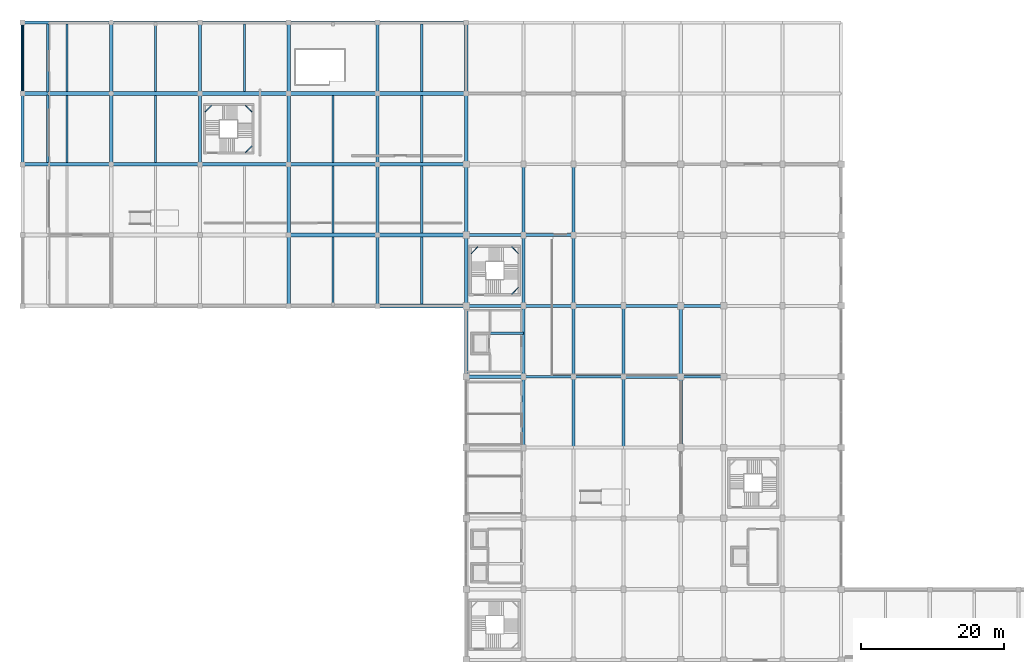
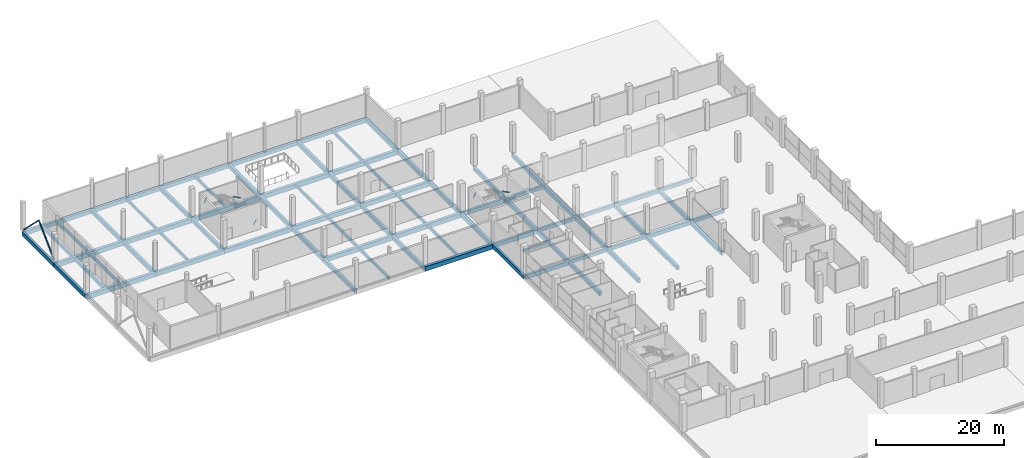
# One storey, part 13 of 50: 82 beams, 2 members.
"""IFC4 building model written with IfcOpenShell, lengths in metres."""

from ifc_helpers import new_model, si_unit, direction, frame, origin, origin_2d, place, context, subcontext, project, spatial, rectangle, hollow_rectangle, extrude, material, material_profile, profile_set, type_object, element, save


model = new_model("IFC4")

# Units and contexts
model_context = context("Model", 3, precision=1e-05, world=origin(), true_north=direction((0.0, 1.0)))
body_context = subcontext(model_context, "Body", "Model", "MODEL_VIEW")
ifc_project = project(units=[si_unit("LENGTHUNIT", "METRE"), si_unit("AREAUNIT", "SQUARE_METRE"), si_unit("VOLUMEUNIT", "CUBIC_METRE"), si_unit("PLANEANGLEUNIT", "RADIAN"), si_unit("MASSUNIT", "GRAM", prefix="KILO")], contexts=[model_context])

# Site, building, storey
site_placement = place(None, origin())
site = spatial("IfcSite", under=ifc_project, at=site_placement, CompositionType="ELEMENT")
building_placement = place(site_placement, origin())
building = spatial("IfcBuilding", under=site, at=building_placement, Name="Sillaruma Civic Art Gallery", CompositionType="ELEMENT")
storey_placement = place(building_placement, origin())
storey = spatial("IfcBuildingStorey", under=building, at=storey_placement, Name="L00", CompositionType="ELEMENT", Elevation=0.0)

# Beams
ifc_material_1 = material(Name="Concrete H35 (35 MPa)", Category="concrete")
ifc_material_profile_1 = material_profile(ifc_material_1, rectangle(XDim=0.35009765625, YDim=0.60009765625, at=origin_2d()), Name="RCB350x600")
ifc_profile_set_1 = profile_set([ifc_material_profile_1], Name="Concrete H35 (35 MPa)")
beam_type_1 = type_object("IfcBeamType", Name="BM-BEAM-RCB350x600", PredefinedType="BEAM", material=ifc_profile_set_1)
beam_1_placement = place(storey_placement, frame((3.5, 99.22509765625, -0.60009765625), z_axis=(0.0, 1.0, 0.0), x_axis=(-1.0, 0.0, 0.0)))
element("IfcBeam", 1, at=beam_1_placement, inside=storey, type_object=beam_type_1, Name="West Forecourt Edge Beam (3)", PredefinedType="BEAM", context=body_context, shape_type="SweptSolid", body=[
    extrude(rectangle(XDim=0.35009765625, YDim=0.60009765625, at=origin_2d()), origin(), (0.0, 0.0, 1.0), 9.449951171875),
])
beam_2_placement = place(storey_placement, frame((3.5, 109.125, -0.60009765625), z_axis=(0.0, 1.0, 0.0), x_axis=(-1.0, 0.0, 0.0)))
element("IfcBeam", 2, at=beam_2_placement, inside=storey, type_object=beam_type_1, Name="West Forecourt Edge Beam (4)", PredefinedType="BEAM", context=body_context, shape_type="SweptSolid", body=[
    extrude(rectangle(XDim=0.35009765625, YDim=0.60009765625, at=origin_2d()), origin(), (0.0, 0.0, 1.0), 9.47509765625),
])
ifc_material_profile_2 = material_profile(ifc_material_1, rectangle(XDim=0.39990234375, YDim=0.64990234375, at=origin_2d()), Name="RCB400x650")
ifc_profile_set_2 = profile_set([ifc_material_profile_2], Name="Concrete H35 (35 MPa)")
beam_type_2 = type_object("IfcBeamType", Name="BM-BEAM-RCB400x650", PredefinedType="BEAM", material=ifc_profile_set_2)
for number, where, z_axis, x_axis, name in (
    (3, (70.0, 69.300048828125, -0.625), (1.0, 0.0, 0.0), (0.0, 1.0, 0.0), "Beam BM-05 (B01:8:G-H)"),
    (4, (77.0, 69.300048828125, -0.625), (1.0, 0.0, 0.0), (0.0, 1.0, 0.0), "Beam BM-05 (B01:8:H-J)"),
):
    element("IfcBeam", number, at=place(storey_placement, frame(where, z_axis=z_axis, x_axis=x_axis)), inside=storey, type_object=beam_type_2, Name=name, PredefinedType="BEAM", context=body_context, shape_type="SweptSolid", body=[
        extrude(rectangle(XDim=0.39990234375, YDim=0.64990234375, at=origin_2d()), origin(), (0.0, 0.0, 1.0), 7.0),
    ])
beam_3_placement = place(storey_placement, frame((92.0, 69.300048828125, -0.625), z_axis=(1.0, 0.0, 0.0), x_axis=(0.0, 1.0, 0.0)))
element("IfcBeam", 5, at=beam_3_placement, inside=storey, type_object=beam_type_2, Name="Beam BM-05 (B01:8:K-L)", PredefinedType="BEAM", context=body_context, shape_type="SweptSolid", body=[
    extrude(rectangle(XDim=0.39990234375, YDim=0.64990234375, at=origin_2d()), origin(), (0.0, 0.0, 1.0), 6.0),
])
for number, where, z_axis, x_axis, name in (
    (6, (70.0, 79.199951171875, -0.625), (1.0, 0.0, 0.0), (0.0, 1.0, 0.0), "Beam BM-05 (B01:9:G-H)"),
    (7, (77.0, 79.199951171875, -0.625), (1.0, 0.0, 0.0), (0.0, 1.0, 0.0), "Beam BM-05 (B01:9:H-J)"),
):
    element("IfcBeam", number, at=place(storey_placement, frame(where, z_axis=z_axis, x_axis=x_axis)), inside=storey, type_object=beam_type_2, Name=name, PredefinedType="BEAM", context=body_context, shape_type="SweptSolid", body=[
        extrude(rectangle(XDim=0.39990234375, YDim=0.64990234375, at=origin_2d()), origin(), (0.0, 0.0, 1.0), 7.0),
    ])
beam_4_placement = place(storey_placement, frame((92.0, 79.199951171875, -0.625), z_axis=(1.0, 0.0, 0.0), x_axis=(0.0, 1.0, 0.0)))
element("IfcBeam", 8, at=beam_4_placement, inside=storey, type_object=beam_type_2, Name="Beam BM-05 (B01:9:K-L)", PredefinedType="BEAM", context=body_context, shape_type="SweptSolid", body=[
    extrude(rectangle(XDim=0.39990234375, YDim=0.64990234375, at=origin_2d()), origin(), (0.0, 0.0, 1.0), 6.0),
])
beam_5_placement = place(storey_placement, frame((70.0, 89.10009765625, -0.625), z_axis=(1.0, 0.0, 0.0), x_axis=(0.0, 1.0, 0.0)))
element("IfcBeam", 9, at=beam_5_placement, inside=storey, type_object=beam_type_2, Name="Beam BM-05 (B01:10:G-H)", PredefinedType="BEAM", context=body_context, shape_type="SweptSolid", body=[
    extrude(rectangle(XDim=0.39990234375, YDim=0.64990234375, at=origin_2d()), origin(), (0.0, 0.0, 1.0), 7.0),
])
ifc_material_2 = material(Name="Concrete H40 (40 MPa)", Category="concrete")
ifc_material_profile_3 = material_profile(ifc_material_2, rectangle(XDim=0.449951171875, YDim=0.75, at=origin_2d()), Name="RCB450x750")
ifc_profile_set_3 = profile_set([ifc_material_profile_3], Name="Concrete H40 (40 MPa)")
beam_type_3 = type_object("IfcBeamType", Name="BM-BEAM-RCB450x750", PredefinedType="BEAM", material=ifc_profile_set_3)
for number, where, z_axis, x_axis, name in (
    (10, (62.0, 69.300048828125, -0.675048828125), (1.0, 0.0, 0.0), (0.0, 1.0, 0.0), "Beam BM-03 (B01:8:F-G)"),
    (11, (84.0, 69.300048828125, -0.675048828125), (1.0, 0.0, 0.0), (0.0, 1.0, 0.0), "Beam BM-03 (B01:8:J-K)"),
    (12, (62.0, 79.199951171875, -0.675048828125), (1.0, 0.0, 0.0), (0.0, 1.0, 0.0), "Beam BM-03 (B01:9:F-G)"),
    (13, (84.0, 79.199951171875, -0.675048828125), (1.0, 0.0, 0.0), (0.0, 1.0, 0.0), "Beam BM-03 (B01:9:J-K)"),
    (14, (62.0, 89.10009765625, -0.675048828125), (1.0, 0.0, 0.0), (0.0, 1.0, 0.0), "Beam BM-03 (B01:10:F-G)"),
):
    element("IfcBeam", number, at=place(storey_placement, frame(where, z_axis=z_axis, x_axis=x_axis)), inside=storey, type_object=beam_type_3, Name=name, PredefinedType="BEAM", context=body_context, shape_type="SweptSolid", body=[
        extrude(rectangle(XDim=0.449951171875, YDim=0.75, at=origin_2d()), origin(), (0.0, 0.0, 1.0), 8.0),
    ])
beam_6_placement = place(storey_placement, frame((0.0, 99.0, -0.675048828125), z_axis=(0.0, 1.0, 0.0), x_axis=(-1.0, 0.0, 0.0)))
element("IfcBeam", 15, at=beam_6_placement, inside=storey, type_object=beam_type_3, Name="Beam BM-03 (B01:A:11-12)", PredefinedType="BEAM", context=body_context, shape_type="SweptSolid", body=[
    extrude(rectangle(XDim=0.449951171875, YDim=0.75, at=origin_2d()), origin(), (0.0, 0.0, 1.0), 9.89990234375),
])
beam_7_placement = place(storey_placement, frame((0.0, 108.89990234375, -0.675048828125), z_axis=(0.0, 1.0, 0.0), x_axis=(-1.0, 0.0, 0.0)))
element("IfcBeam", 16, at=beam_7_placement, inside=storey, type_object=beam_type_3, Name="Beam BM-03 (B01:A:12-13)", PredefinedType="BEAM", context=body_context, shape_type="SweptSolid", body=[
    extrude(rectangle(XDim=0.449951171875, YDim=0.75, at=origin_2d()), origin(), (0.0, 0.0, 1.0), 9.900146484375),
])
beam_8_placement = place(storey_placement, frame((12.39990234375, 99.0, -0.675048828125), z_axis=(0.0, 1.0, 0.0), x_axis=(-1.0, 0.0, 0.0)))
element("IfcBeam", 17, at=beam_8_placement, inside=storey, type_object=beam_type_3, Name="Beam BM-03 (B01:B:11-12)", PredefinedType="BEAM", context=body_context, shape_type="SweptSolid", body=[
    extrude(rectangle(XDim=0.449951171875, YDim=0.75, at=origin_2d()), origin(), (0.0, 0.0, 1.0), 9.89990234375),
])
beam_9_placement = place(storey_placement, frame((12.39990234375, 108.89990234375, -0.675048828125), z_axis=(0.0, 1.0, 0.0), x_axis=(-1.0, 0.0, 0.0)))
element("IfcBeam", 18, at=beam_9_placement, inside=storey, type_object=beam_type_3, Name="Beam BM-03 (B01:B:12-13)", PredefinedType="BEAM", context=body_context, shape_type="SweptSolid", body=[
    extrude(rectangle(XDim=0.449951171875, YDim=0.75, at=origin_2d()), origin(), (0.0, 0.0, 1.0), 9.900146484375),
])
beam_10_placement = place(storey_placement, frame((24.800048828125, 99.0, -0.675048828125), z_axis=(0.0, 1.0, 0.0), x_axis=(-1.0, 0.0, 0.0)))
element("IfcBeam", 19, at=beam_10_placement, inside=storey, type_object=beam_type_3, Name="Beam BM-03 (B01:C:11-12)", PredefinedType="BEAM", context=body_context, shape_type="SweptSolid", body=[
    extrude(rectangle(XDim=0.449951171875, YDim=0.75, at=origin_2d()), origin(), (0.0, 0.0, 1.0), 9.89990234375),
])
for number, where, z_axis, x_axis, name in (
    (20, (24.800048828125, 108.89990234375, -0.675048828125), (0.0, 1.0, 0.0), (-1.0, 0.0, 0.0), "Beam BM-03 (B01:C:12-13)"),
    (21, (37.199951171875, 79.199951171875, -0.675048828125), (0.0, 1.0, 0.0), (-1.0, 0.0, 0.0), "Beam BM-03 (B01:D:9-10)"),
):
    element("IfcBeam", number, at=place(storey_placement, frame(where, z_axis=z_axis, x_axis=x_axis)), inside=storey, type_object=beam_type_3, Name=name, PredefinedType="BEAM", context=body_context, shape_type="SweptSolid", body=[
        extrude(rectangle(XDim=0.449951171875, YDim=0.75, at=origin_2d()), origin(), (0.0, 0.0, 1.0), 9.900146484375),
    ])
for number, where, z_axis, x_axis, name in (
    (22, (37.199951171875, 89.10009765625, -0.675048828125), (0.0, 1.0, 0.0), (-1.0, 0.0, 0.0), "Beam BM-03 (B01:D:10-11)"),
    (23, (37.199951171875, 99.0, -0.675048828125), (0.0, 1.0, 0.0), (-1.0, 0.0, 0.0), "Beam BM-03 (B01:D:11-12)"),
):
    element("IfcBeam", number, at=place(storey_placement, frame(where, z_axis=z_axis, x_axis=x_axis)), inside=storey, type_object=beam_type_3, Name=name, PredefinedType="BEAM", context=body_context, shape_type="SweptSolid", body=[
        extrude(rectangle(XDim=0.449951171875, YDim=0.75, at=origin_2d()), origin(), (0.0, 0.0, 1.0), 9.89990234375),
    ])
for number, where, z_axis, x_axis, name in (
    (24, (37.199951171875, 108.89990234375, -0.675048828125), (0.0, 1.0, 0.0), (-1.0, 0.0, 0.0), "Beam BM-03 (B01:D:12-13)"),
    (25, (49.60009765625, 79.199951171875, -0.675048828125), (0.0, 1.0, 0.0), (-1.0, 0.0, 0.0), "Beam BM-03 (B01:E:9-10)"),
):
    element("IfcBeam", number, at=place(storey_placement, frame(where, z_axis=z_axis, x_axis=x_axis)), inside=storey, type_object=beam_type_3, Name=name, PredefinedType="BEAM", context=body_context, shape_type="SweptSolid", body=[
        extrude(rectangle(XDim=0.449951171875, YDim=0.75, at=origin_2d()), origin(), (0.0, 0.0, 1.0), 9.900146484375),
    ])
for number, where, z_axis, x_axis, name in (
    (26, (49.60009765625, 89.10009765625, -0.675048828125), (0.0, 1.0, 0.0), (-1.0, 0.0, 0.0), "Beam BM-03 (B01:E:10-11)"),
    (27, (49.60009765625, 99.0, -0.675048828125), (0.0, 1.0, 0.0), (-1.0, 0.0, 0.0), "Beam BM-03 (B01:E:11-12)"),
):
    element("IfcBeam", number, at=place(storey_placement, frame(where, z_axis=z_axis, x_axis=x_axis)), inside=storey, type_object=beam_type_3, Name=name, PredefinedType="BEAM", context=body_context, shape_type="SweptSolid", body=[
        extrude(rectangle(XDim=0.449951171875, YDim=0.75, at=origin_2d()), origin(), (0.0, 0.0, 1.0), 9.89990234375),
    ])
beam_11_placement = place(storey_placement, frame((49.60009765625, 108.89990234375, -0.675048828125), z_axis=(0.0, 1.0, 0.0), x_axis=(-1.0, 0.0, 0.0)))
element("IfcBeam", 28, at=beam_11_placement, inside=storey, type_object=beam_type_3, Name="Beam BM-03 (B01:E:12-13)", PredefinedType="BEAM", context=body_context, shape_type="SweptSolid", body=[
    extrude(rectangle(XDim=0.449951171875, YDim=0.75, at=origin_2d()), origin(), (0.0, 0.0, 1.0), 9.900146484375),
])
beam_12_placement = place(storey_placement, frame((62.0, 69.300048828125, -0.675048828125), z_axis=(0.0, 1.0, 0.0), x_axis=(-1.0, 0.0, 0.0)))
element("IfcBeam", 29, at=beam_12_placement, inside=storey, type_object=beam_type_3, Name="Beam BM-03 (B01:F:8-9)", PredefinedType="BEAM", context=body_context, shape_type="SweptSolid", body=[
    extrude(rectangle(XDim=0.449951171875, YDim=0.75, at=origin_2d()), origin(), (0.0, 0.0, 1.0), 9.89990234375),
])
beam_13_placement = place(storey_placement, frame((62.0, 79.199951171875, -0.675048828125), z_axis=(0.0, 1.0, 0.0), x_axis=(-1.0, 0.0, 0.0)))
element("IfcBeam", 30, at=beam_13_placement, inside=storey, type_object=beam_type_3, Name="Beam BM-03 (B01:F:9-10)", PredefinedType="BEAM", context=body_context, shape_type="SweptSolid", body=[
    extrude(rectangle(XDim=0.449951171875, YDim=0.75, at=origin_2d()), origin(), (0.0, 0.0, 1.0), 9.900146484375),
])
for number, where, z_axis, x_axis, name in (
    (31, (62.0, 89.10009765625, -0.675048828125), (0.0, 1.0, 0.0), (-1.0, 0.0, 0.0), "Beam BM-03 (B01:F:10-11)"),
    (32, (62.0, 99.0, -0.675048828125), (0.0, 1.0, 0.0), (-1.0, 0.0, 0.0), "Beam BM-03 (B01:F:11-12)"),
):
    element("IfcBeam", number, at=place(storey_placement, frame(where, z_axis=z_axis, x_axis=x_axis)), inside=storey, type_object=beam_type_3, Name=name, PredefinedType="BEAM", context=body_context, shape_type="SweptSolid", body=[
        extrude(rectangle(XDim=0.449951171875, YDim=0.75, at=origin_2d()), origin(), (0.0, 0.0, 1.0), 9.89990234375),
    ])
for number, where, z_axis, x_axis, name in (
    (33, (62.0, 108.89990234375, -0.675048828125), (0.0, 1.0, 0.0), (-1.0, 0.0, 0.0), "Beam BM-03 (B01:F:12-13)"),
    (34, (70.0, 59.39990234375, -0.675048828125), (0.0, 1.0, 0.0), (-1.0, 0.0, 0.0), "Beam BM-03 (B01:G:7-8)"),
):
    element("IfcBeam", number, at=place(storey_placement, frame(where, z_axis=z_axis, x_axis=x_axis)), inside=storey, type_object=beam_type_3, Name=name, PredefinedType="BEAM", context=body_context, shape_type="SweptSolid", body=[
        extrude(rectangle(XDim=0.449951171875, YDim=0.75, at=origin_2d()), origin(), (0.0, 0.0, 1.0), 9.900146484375),
    ])
beam_14_placement = place(storey_placement, frame((70.0, 69.300048828125, -0.675048828125), z_axis=(0.0, 1.0, 0.0), x_axis=(-1.0, 0.0, 0.0)))
element("IfcBeam", 35, at=beam_14_placement, inside=storey, type_object=beam_type_3, Name="Beam BM-03 (B01:G:8-9)", PredefinedType="BEAM", context=body_context, shape_type="SweptSolid", body=[
    extrude(rectangle(XDim=0.449951171875, YDim=0.75, at=origin_2d()), origin(), (0.0, 0.0, 1.0), 9.89990234375),
])
beam_15_placement = place(storey_placement, frame((70.0, 79.199951171875, -0.675048828125), z_axis=(0.0, 1.0, 0.0), x_axis=(-1.0, 0.0, 0.0)))
element("IfcBeam", 36, at=beam_15_placement, inside=storey, type_object=beam_type_3, Name="Beam BM-03 (B01:G:9-10)", PredefinedType="BEAM", context=body_context, shape_type="SweptSolid", body=[
    extrude(rectangle(XDim=0.449951171875, YDim=0.75, at=origin_2d()), origin(), (0.0, 0.0, 1.0), 9.900146484375),
])
beam_16_placement = place(storey_placement, frame((70.0, 89.10009765625, -0.675048828125), z_axis=(0.0, 1.0, 0.0), x_axis=(-1.0, 0.0, 0.0)))
element("IfcBeam", 37, at=beam_16_placement, inside=storey, type_object=beam_type_3, Name="Beam BM-03 (B01:G:10-11)", PredefinedType="BEAM", context=body_context, shape_type="SweptSolid", body=[
    extrude(rectangle(XDim=0.449951171875, YDim=0.75, at=origin_2d()), origin(), (0.0, 0.0, 1.0), 9.89990234375),
])
beam_17_placement = place(storey_placement, frame((77.0, 59.39990234375, -0.675048828125), z_axis=(0.0, 1.0, 0.0), x_axis=(-1.0, 0.0, 0.0)))
element("IfcBeam", 38, at=beam_17_placement, inside=storey, type_object=beam_type_3, Name="Beam BM-03 (B01:H:7-8)", PredefinedType="BEAM", context=body_context, shape_type="SweptSolid", body=[
    extrude(rectangle(XDim=0.449951171875, YDim=0.75, at=origin_2d()), origin(), (0.0, 0.0, 1.0), 9.900146484375),
])
beam_18_placement = place(storey_placement, frame((77.0, 69.300048828125, -0.675048828125), z_axis=(0.0, 1.0, 0.0), x_axis=(-1.0, 0.0, 0.0)))
element("IfcBeam", 39, at=beam_18_placement, inside=storey, type_object=beam_type_3, Name="Beam BM-03 (B01:H:8-9)", PredefinedType="BEAM", context=body_context, shape_type="SweptSolid", body=[
    extrude(rectangle(XDim=0.449951171875, YDim=0.75, at=origin_2d()), origin(), (0.0, 0.0, 1.0), 9.89990234375),
])
beam_19_placement = place(storey_placement, frame((77.0, 79.199951171875, -0.675048828125), z_axis=(0.0, 1.0, 0.0), x_axis=(-1.0, 0.0, 0.0)))
element("IfcBeam", 40, at=beam_19_placement, inside=storey, type_object=beam_type_3, Name="Beam BM-03 (B01:H:9-10)", PredefinedType="BEAM", context=body_context, shape_type="SweptSolid", body=[
    extrude(rectangle(XDim=0.449951171875, YDim=0.75, at=origin_2d()), origin(), (0.0, 0.0, 1.0), 9.900146484375),
])
beam_20_placement = place(storey_placement, frame((77.0, 89.10009765625, -0.675048828125), z_axis=(0.0, 1.0, 0.0), x_axis=(-1.0, 0.0, 0.0)))
element("IfcBeam", 41, at=beam_20_placement, inside=storey, type_object=beam_type_3, Name="Beam BM-03 (B01:H:10-11)", PredefinedType="BEAM", context=body_context, shape_type="SweptSolid", body=[
    extrude(rectangle(XDim=0.449951171875, YDim=0.75, at=origin_2d()), origin(), (0.0, 0.0, 1.0), 9.89990234375),
])
beam_21_placement = place(storey_placement, frame((84.0, 59.39990234375, -0.675048828125), z_axis=(0.0, 1.0, 0.0), x_axis=(-1.0, 0.0, 0.0)))
element("IfcBeam", 42, at=beam_21_placement, inside=storey, type_object=beam_type_3, Name="Beam BM-03 (B01:J:7-8)", PredefinedType="BEAM", context=body_context, shape_type="SweptSolid", body=[
    extrude(rectangle(XDim=0.449951171875, YDim=0.75, at=origin_2d()), origin(), (0.0, 0.0, 1.0), 9.900146484375),
])
beam_22_placement = place(storey_placement, frame((84.0, 69.300048828125, -0.675048828125), z_axis=(0.0, 1.0, 0.0), x_axis=(-1.0, 0.0, 0.0)))
element("IfcBeam", 43, at=beam_22_placement, inside=storey, type_object=beam_type_3, Name="Beam BM-03 (B01:J:8-9)", PredefinedType="BEAM", context=body_context, shape_type="SweptSolid", body=[
    extrude(rectangle(XDim=0.449951171875, YDim=0.75, at=origin_2d()), origin(), (0.0, 0.0, 1.0), 9.89990234375),
])
beam_23_placement = place(storey_placement, frame((92.0, 59.39990234375, -0.675048828125), z_axis=(0.0, 1.0, 0.0), x_axis=(-1.0, 0.0, 0.0)))
element("IfcBeam", 44, at=beam_23_placement, inside=storey, type_object=beam_type_3, Name="Beam BM-03 (B01:K:7-8)", PredefinedType="BEAM", context=body_context, shape_type="SweptSolid", body=[
    extrude(rectangle(XDim=0.449951171875, YDim=0.75, at=origin_2d()), origin(), (0.0, 0.0, 1.0), 9.900146484375),
])
beam_24_placement = place(storey_placement, frame((92.0, 69.300048828125, -0.675048828125), z_axis=(0.0, 1.0, 0.0), x_axis=(-1.0, 0.0, 0.0)))
element("IfcBeam", 45, at=beam_24_placement, inside=storey, type_object=beam_type_3, Name="Beam BM-03 (B01:K:8-9)", PredefinedType="BEAM", context=body_context, shape_type="SweptSolid", body=[
    extrude(rectangle(XDim=0.449951171875, YDim=0.75, at=origin_2d()), origin(), (0.0, 0.0, 1.0), 9.89990234375),
])
ifc_material_profile_4 = material_profile(ifc_material_2, rectangle(XDim=0.550048828125, YDim=0.85009765625, at=origin_2d()), Name="RCB550x850")
ifc_profile_set_4 = profile_set([ifc_material_profile_4], Name="Concrete H40 (40 MPa)")
beam_type_4 = type_object("IfcBeamType", Name="BM-BEAM-RCB550x850", PredefinedType="BEAM", material=ifc_profile_set_4)
beam_25_placement = place(storey_placement, frame((49.60009765625, 79.199951171875, -0.72509765625), z_axis=(1.0, 0.0, 0.0), x_axis=(0.0, 1.0, 0.0)))
element("IfcBeam", 46, at=beam_25_placement, inside=storey, type_object=beam_type_4, Name="Beam BM-01 (B01:9:E-F)", PredefinedType="BEAM", context=body_context, shape_type="SweptSolid", body=[
    extrude(rectangle(XDim=0.550048828125, YDim=0.85009765625, at=origin_2d()), origin(), (0.0, 0.0, 1.0), 12.39990234375),
])
beam_26_placement = place(storey_placement, frame((37.199951171875, 89.10009765625, -0.72509765625), z_axis=(1.0, 0.0, 0.0), x_axis=(0.0, 1.0, 0.0)))
element("IfcBeam", 47, at=beam_26_placement, inside=storey, type_object=beam_type_4, Name="Beam BM-01 (B01:10:D-E)", PredefinedType="BEAM", context=body_context, shape_type="SweptSolid", body=[
    extrude(rectangle(XDim=0.550048828125, YDim=0.85009765625, at=origin_2d()), origin(), (0.0, 0.0, 1.0), 12.400146484375),
])
for number, where, z_axis, x_axis, name in (
    (48, (49.60009765625, 89.10009765625, -0.72509765625), (1.0, 0.0, 0.0), (0.0, 1.0, 0.0), "Beam BM-01 (B01:10:E-F)"),
    (49, (0.0, 99.0, -0.72509765625), (1.0, 0.0, 0.0), (0.0, 1.0, 0.0), "Beam BM-01 (B01:11:A-B)"),
):
    element("IfcBeam", number, at=place(storey_placement, frame(where, z_axis=z_axis, x_axis=x_axis)), inside=storey, type_object=beam_type_4, Name=name, PredefinedType="BEAM", context=body_context, shape_type="SweptSolid", body=[
        extrude(rectangle(XDim=0.550048828125, YDim=0.85009765625, at=origin_2d()), origin(), (0.0, 0.0, 1.0), 12.39990234375),
    ])
beam_27_placement = place(storey_placement, frame((12.39990234375, 99.0, -0.72509765625), z_axis=(1.0, 0.0, 0.0), x_axis=(0.0, 1.0, 0.0)))
element("IfcBeam", 50, at=beam_27_placement, inside=storey, type_object=beam_type_4, Name="Beam BM-01 (B01:11:B-C)", PredefinedType="BEAM", context=body_context, shape_type="SweptSolid", body=[
    extrude(rectangle(XDim=0.550048828125, YDim=0.85009765625, at=origin_2d()), origin(), (0.0, 0.0, 1.0), 12.400146484375),
])
beam_28_placement = place(storey_placement, frame((24.800048828125, 99.0, -0.72509765625), z_axis=(1.0, 0.0, 0.0), x_axis=(0.0, 1.0, 0.0)))
element("IfcBeam", 51, at=beam_28_placement, inside=storey, type_object=beam_type_4, Name="Beam BM-01 (B01:11:C-D)", PredefinedType="BEAM", context=body_context, shape_type="SweptSolid", body=[
    extrude(rectangle(XDim=0.550048828125, YDim=0.85009765625, at=origin_2d()), origin(), (0.0, 0.0, 1.0), 12.39990234375),
])
beam_29_placement = place(storey_placement, frame((37.199951171875, 99.0, -0.72509765625), z_axis=(1.0, 0.0, 0.0), x_axis=(0.0, 1.0, 0.0)))
element("IfcBeam", 52, at=beam_29_placement, inside=storey, type_object=beam_type_4, Name="Beam BM-01 (B01:11:D-E)", PredefinedType="BEAM", context=body_context, shape_type="SweptSolid", body=[
    extrude(rectangle(XDim=0.550048828125, YDim=0.85009765625, at=origin_2d()), origin(), (0.0, 0.0, 1.0), 12.400146484375),
])
for number, where, z_axis, x_axis, name in (
    (53, (49.60009765625, 99.0, -0.72509765625), (1.0, 0.0, 0.0), (0.0, 1.0, 0.0), "Beam BM-01 (B01:11:E-F)"),
    (54, (0.0, 108.89990234375, -0.72509765625), (1.0, 0.0, 0.0), (0.0, 1.0, 0.0), "Beam BM-01 (B01:12:A-B)"),
):
    element("IfcBeam", number, at=place(storey_placement, frame(where, z_axis=z_axis, x_axis=x_axis)), inside=storey, type_object=beam_type_4, Name=name, PredefinedType="BEAM", context=body_context, shape_type="SweptSolid", body=[
        extrude(rectangle(XDim=0.550048828125, YDim=0.85009765625, at=origin_2d()), origin(), (0.0, 0.0, 1.0), 12.39990234375),
    ])
beam_30_placement = place(storey_placement, frame((12.39990234375, 108.89990234375, -0.72509765625), z_axis=(1.0, 0.0, 0.0), x_axis=(0.0, 1.0, 0.0)))
element("IfcBeam", 55, at=beam_30_placement, inside=storey, type_object=beam_type_4, Name="Beam BM-01 (B01:12:B-C)", PredefinedType="BEAM", context=body_context, shape_type="SweptSolid", body=[
    extrude(rectangle(XDim=0.550048828125, YDim=0.85009765625, at=origin_2d()), origin(), (0.0, 0.0, 1.0), 12.400146484375),
])
beam_31_placement = place(storey_placement, frame((24.800048828125, 108.89990234375, -0.72509765625), z_axis=(1.0, 0.0, 0.0), x_axis=(0.0, 1.0, 0.0)))
element("IfcBeam", 56, at=beam_31_placement, inside=storey, type_object=beam_type_4, Name="Beam BM-01 (B01:12:C-D)", PredefinedType="BEAM", context=body_context, shape_type="SweptSolid", body=[
    extrude(rectangle(XDim=0.550048828125, YDim=0.85009765625, at=origin_2d()), origin(), (0.0, 0.0, 1.0), 12.39990234375),
])
beam_32_placement = place(storey_placement, frame((37.199951171875, 108.89990234375, -0.72509765625), z_axis=(1.0, 0.0, 0.0), x_axis=(0.0, 1.0, 0.0)))
element("IfcBeam", 57, at=beam_32_placement, inside=storey, type_object=beam_type_4, Name="Beam BM-01 (B01:12:D-E)", PredefinedType="BEAM", context=body_context, shape_type="SweptSolid", body=[
    extrude(rectangle(XDim=0.550048828125, YDim=0.85009765625, at=origin_2d()), origin(), (0.0, 0.0, 1.0), 12.400146484375),
])
beam_33_placement = place(storey_placement, frame((49.60009765625, 108.89990234375, -0.72509765625), z_axis=(1.0, 0.0, 0.0), x_axis=(0.0, 1.0, 0.0)))
element("IfcBeam", 58, at=beam_33_placement, inside=storey, type_object=beam_type_4, Name="Beam BM-01 (B01:12:E-F)", PredefinedType="BEAM", context=body_context, shape_type="SweptSolid", body=[
    extrude(rectangle(XDim=0.550048828125, YDim=0.85009765625, at=origin_2d()), origin(), (0.0, 0.0, 1.0), 12.39990234375),
])
ifc_material_profile_5 = material_profile(ifc_material_1, rectangle(XDim=0.300048828125, YDim=0.52001953125, at=origin_2d()), Name="RCB300x520")
ifc_profile_set_5 = profile_set([ifc_material_profile_5], Name="Concrete H35 (35 MPa)")
beam_type_5 = type_object("IfcBeamType", Name="BM-JOIST-RCB300x520", PredefinedType="JOIST", material=ifc_profile_set_5)
for number, where, z_axis, x_axis, name in (
    (59, (43.39990234375, 79.47509765625, -0.56005859375), (0.0, 1.0, 0.0), (-1.0, 0.0, 0.0), "Floor Joist JR-01 (B01:DE:9-10)"),
    (60, (55.800048828125, 79.47509765625, -0.56005859375), (0.0, 1.0, 0.0), (-1.0, 0.0, 0.0), "Floor Joist JR-01 (B01:EF:9-10)"),
):
    element("IfcBeam", number, at=place(storey_placement, frame(where, z_axis=z_axis, x_axis=x_axis)), inside=storey, type_object=beam_type_5, Name=name, PredefinedType="JOIST", context=body_context, shape_type="SweptSolid", body=[
        extrude(rectangle(XDim=0.300048828125, YDim=0.52001953125, at=origin_2d()), origin(), (0.0, 0.0, 1.0), 9.349853515625),
    ])
for number, where, z_axis, x_axis, name in (
    (61, (43.39990234375, 89.375, -0.56005859375), (0.0, 1.0, 0.0), (-1.0, 0.0, 0.0), "Floor Joist JR-01 (B01:DE:10-11)"),
    (62, (55.800048828125, 89.375, -0.56005859375), (0.0, 1.0, 0.0), (-1.0, 0.0, 0.0), "Floor Joist JR-01 (B01:EF:10-11)"),
    (63, (6.199951171875, 99.27490234375, -0.56005859375), (0.0, 1.0, 0.0), (-1.0, 0.0, 0.0), "Floor Joist JR-01 (B01:AB:11-12)"),
    (64, (18.60009765625, 99.27490234375, -0.56005859375), (0.0, 1.0, 0.0), (-1.0, 0.0, 0.0), "Floor Joist JR-01 (B01:BC:11-12)"),
    (65, (43.39990234375, 99.27490234375, -0.56005859375), (0.0, 1.0, 0.0), (-1.0, 0.0, 0.0), "Floor Joist JR-01 (B01:DE:11-12)"),
    (66, (55.800048828125, 99.27490234375, -0.56005859375), (0.0, 1.0, 0.0), (-1.0, 0.0, 0.0), "Floor Joist JR-01 (B01:EF:11-12)"),
):
    element("IfcBeam", number, at=place(storey_placement, frame(where, z_axis=z_axis, x_axis=x_axis)), inside=storey, type_object=beam_type_5, Name=name, PredefinedType="JOIST", context=body_context, shape_type="SweptSolid", body=[
        extrude(rectangle(XDim=0.300048828125, YDim=0.52001953125, at=origin_2d()), origin(), (0.0, 0.0, 1.0), 9.35009765625),
    ])
for number, where, z_axis, x_axis, name in (
    (67, (6.199951171875, 109.175048828125, -0.56005859375), (0.0, 1.0, 0.0), (-1.0, 0.0, 0.0), "Floor Joist JR-01 (B01:AB:12-13)"),
    (68, (18.60009765625, 109.175048828125, -0.56005859375), (0.0, 1.0, 0.0), (-1.0, 0.0, 0.0), "Floor Joist JR-01 (B01:BC:12-13)"),
    (69, (31.0, 109.175048828125, -0.56005859375), (0.0, 1.0, 0.0), (-1.0, 0.0, 0.0), "Floor Joist JR-01 (B01:CD:12-13)"),
    (70, (55.800048828125, 109.175048828125, -0.56005859375), (0.0, 1.0, 0.0), (-1.0, 0.0, 0.0), "Floor Joist JR-01 (B01:EF:12-13)"),
):
    element("IfcBeam", number, at=place(storey_placement, frame(where, z_axis=z_axis, x_axis=x_axis)), inside=storey, type_object=beam_type_5, Name=name, PredefinedType="JOIST", context=body_context, shape_type="SweptSolid", body=[
        extrude(rectangle(XDim=0.300048828125, YDim=0.52001953125, at=origin_2d()), origin(), (0.0, 0.0, 1.0), 9.39990234375),
    ])
ifc_material_profile_6 = material_profile(ifc_material_1, rectangle(XDim=0.300048828125, YDim=0.4599609375, at=origin_2d()), Name="RCB300x460")
ifc_profile_set_6 = profile_set([ifc_material_profile_6], Name="Concrete H35 (35 MPa)")
beam_type_6 = type_object("IfcBeamType", Name="BM-LINTEL-RCB300x460", PredefinedType="LINTEL", material=ifc_profile_set_6)
beam_34_placement = place(storey_placement, frame((65.25, 75.3798828125, -0.530029296875), z_axis=(1.0, 0.0, 0.0), x_axis=(0.0, 1.0, 0.0)))
element("IfcBeam", 71, at=beam_34_placement, inside=storey, type_object=beam_type_6, Name="Core Portal Coupling Lintel BL-01 (B01:FFL)", PredefinedType="LINTEL", context=body_context, shape_type="SweptSolid", body=[
    extrude(rectangle(XDim=0.300048828125, YDim=0.4599609375, at=origin_2d()), origin(), (0.0, 0.0, 1.0), 4.75),
])
ifc_material_3 = material(Name="Structural Steel ASTM A500 Gr.C", Category="steel")
ifc_material_profile_7 = material_profile(ifc_material_3, hollow_rectangle(XDim=0.080078125, YDim=0.159912109375, WallThickness=0.008056640625, InnerFilletRadius=0.008056640625, OuterFilletRadius=0.01611328125, at=origin_2d()), Name="HSS160x80x8")
ifc_profile_set_7 = profile_set([ifc_material_profile_7], Name="Structural Steel ASTM A500 Gr.C")
beam_type_7 = type_object("IfcBeamType", Name="BM-LND-HSS160", PredefinedType="BEAM", material=ifc_profile_set_7)
for number, where, z_axis, x_axis, name in (
    (72, (31.18994140625, 100.659912109375, 1.080078125), (0.707106781187, 0.707106781187, 0.0), (-0.707106781187, 0.707106781187, 0.0), "Stair Corner Landing Trimmer Beam (ST-01-L00-1)"),
    (73, (31.18994140625, 107.219970703125, 2.43994140625), (0.707203758046, -0.707009791025, 0.0), (0.707009791025, 0.707203758046, 0.0), "Stair Corner Landing Trimmer Beam (ST-01-L00-2)"),
):
    element("IfcBeam", number, at=place(storey_placement, frame(where, z_axis=z_axis, x_axis=x_axis)), inside=storey, type_object=beam_type_7, Name=name, PredefinedType="BEAM", context=body_context, shape_type="SweptSolid", body=[
        extrude(hollow_rectangle(XDim=0.080078125, YDim=0.159912109375, WallThickness=0.008056640625, InnerFilletRadius=0.008056640625, OuterFilletRadius=0.01611328125, at=origin_2d()), origin(), (0.0, 0.0, 1.0), 1.2587890625),
    ])
beam_35_placement = place(storey_placement, frame((25.52001953125, 106.330078125, 3.800048828125), z_axis=(0.707106781187, 0.707106781187, 0.0), x_axis=(-0.707106781187, 0.707106781187, 0.0)))
element("IfcBeam", 74, at=beam_35_placement, inside=storey, type_object=beam_type_7, Name="Stair Corner Landing Trimmer Beam (ST-01-L00-3)", PredefinedType="BEAM", context=body_context, shape_type="SweptSolid", body=[
    extrude(hollow_rectangle(XDim=0.080078125, YDim=0.159912109375, WallThickness=0.008056640625, InnerFilletRadius=0.008056640625, OuterFilletRadius=0.01611328125, at=origin_2d()), origin(), (0.0, 0.0, 1.0), 1.258544921875),
])
for number, where, z_axis, x_axis, name in (
    (75, (68.389892578125, 80.8701171875, 1.080078125), (0.707203758046, 0.707009791025, 0.0), (-0.707009791025, 0.707203758046, 0.0), "Stair Corner Landing Trimmer Beam (ST-02-L00-1)"),
    (76, (68.389892578125, 87.429931640625, 2.43994140625), (0.707203758046, -0.707009791025, 0.0), (0.707009791025, 0.707203758046, 0.0), "Stair Corner Landing Trimmer Beam (ST-02-L00-2)"),
    (77, (62.719970703125, 86.5400390625, 3.800048828125), (0.707203758046, 0.707009791025, 0.0), (-0.707009791025, 0.707203758046, 0.0), "Stair Corner Landing Trimmer Beam (ST-02-L00-3)"),
):
    element("IfcBeam", number, at=place(storey_placement, frame(where, z_axis=z_axis, x_axis=x_axis)), inside=storey, type_object=beam_type_7, Name=name, PredefinedType="BEAM", context=body_context, shape_type="SweptSolid", body=[
        extrude(hollow_rectangle(XDim=0.080078125, YDim=0.159912109375, WallThickness=0.008056640625, InnerFilletRadius=0.008056640625, OuterFilletRadius=0.01611328125, at=origin_2d()), origin(), (0.0, 0.0, 1.0), 1.2587890625),
    ])
ifc_material_profile_8 = material_profile(ifc_material_2, rectangle(XDim=0.449951171875, YDim=0.75, at=origin_2d()), Name="RCB450x750")
ifc_profile_set_8 = profile_set([ifc_material_profile_8], Name="Concrete H40 (40 MPa)")
beam_type_8 = type_object("IfcBeamType", Name="BM-SPANDREL-RCB450x750", PredefinedType="SPANDREL", material=ifc_profile_set_8)
beam_36_placement = place(storey_placement, frame((0.0, 118.800048828125, -0.675048828125), z_axis=(1.0, 0.0, 0.0), x_axis=(0.0, 1.0, 0.0)))
element("IfcBeam", 78, at=beam_36_placement, inside=storey, type_object=beam_type_8, Name="Beam BS-01 (B01:13:A-B)", PredefinedType="SPANDREL", context=body_context, shape_type="SweptSolid", body=[
    extrude(rectangle(XDim=0.449951171875, YDim=0.75, at=origin_2d()), origin(), (0.0, 0.0, 1.0), 12.39990234375),
])
beam_37_placement = place(storey_placement, frame((12.39990234375, 118.800048828125, -0.675048828125), z_axis=(1.0, 0.0, 0.0), x_axis=(0.0, 1.0, 0.0)))
element("IfcBeam", 79, at=beam_37_placement, inside=storey, type_object=beam_type_8, Name="Beam BS-01 (B01:13:B-C)", PredefinedType="SPANDREL", context=body_context, shape_type="SweptSolid", body=[
    extrude(rectangle(XDim=0.449951171875, YDim=0.75, at=origin_2d()), origin(), (0.0, 0.0, 1.0), 12.400146484375),
])
beam_38_placement = place(storey_placement, frame((24.800048828125, 118.800048828125, -0.675048828125), z_axis=(1.0, 0.0, 0.0), x_axis=(0.0, 1.0, 0.0)))
element("IfcBeam", 80, at=beam_38_placement, inside=storey, type_object=beam_type_8, Name="Beam BS-01 (B01:13:C-D)", PredefinedType="SPANDREL", context=body_context, shape_type="SweptSolid", body=[
    extrude(rectangle(XDim=0.449951171875, YDim=0.75, at=origin_2d()), origin(), (0.0, 0.0, 1.0), 12.39990234375),
])
beam_39_placement = place(storey_placement, frame((37.199951171875, 118.800048828125, -0.675048828125), z_axis=(1.0, 0.0, 0.0), x_axis=(0.0, 1.0, 0.0)))
element("IfcBeam", 81, at=beam_39_placement, inside=storey, type_object=beam_type_8, Name="Beam BS-01 (B01:13:D-E)", PredefinedType="SPANDREL", context=body_context, shape_type="SweptSolid", body=[
    extrude(rectangle(XDim=0.449951171875, YDim=0.75, at=origin_2d()), origin(), (0.0, 0.0, 1.0), 12.400146484375),
])
beam_40_placement = place(storey_placement, frame((49.60009765625, 118.800048828125, -0.675048828125), z_axis=(1.0, 0.0, 0.0), x_axis=(0.0, 1.0, 0.0)))
element("IfcBeam", 82, at=beam_40_placement, inside=storey, type_object=beam_type_8, Name="Beam BS-01 (B01:13:E-F)", PredefinedType="SPANDREL", context=body_context, shape_type="SweptSolid", body=[
    extrude(rectangle(XDim=0.449951171875, YDim=0.75, at=origin_2d()), origin(), (0.0, 0.0, 1.0), 12.39990234375),
])

# Members
ifc_material_profile_9 = material_profile(ifc_material_3, hollow_rectangle(XDim=0.199951171875, YDim=0.199951171875, WallThickness=0.010009765625, InnerFilletRadius=0.010009765625, OuterFilletRadius=0.02001953125, at=origin_2d()), Name="HSS200x200x10")
ifc_profile_set_9 = profile_set([ifc_material_profile_9], Name="Structural Steel ASTM A500 Gr.C")
member_type = type_object("IfcMemberType", Name="MEM-PROW-BRACE", PredefinedType="BRACE", material=ifc_profile_set_9)
for number, where, z_axis, x_axis, name in (
    (83, (0.0, 109.10009765625, 0.14990234375), (0.0, 0.713073760049, 0.701089019119), (-1.0, 0.0, 0.0), "Street Portico Colonnade V-Brace (W2A)"),
    (84, (0.0, 118.60009765625, 0.14990234375), (0.0, -0.713073760049, 0.701089019119), (1.0, 0.0, 0.0), "Street Portico Colonnade V-Brace (W2B)"),
):
    element("IfcMember", number, at=place(storey_placement, frame(where, z_axis=z_axis, x_axis=x_axis)), inside=storey, type_object=member_type, Name=name, PredefinedType="BRACE", context=body_context, shape_type="SweptSolid", body=[
        extrude(hollow_rectangle(XDim=0.199951171875, YDim=0.199951171875, WallThickness=0.010009765625, InnerFilletRadius=0.010009765625, OuterFilletRadius=0.02001953125, at=origin_2d()), origin(), (0.0, 0.0, 1.0), 6.661376953125),
    ])

save(model, "model.ifc")
